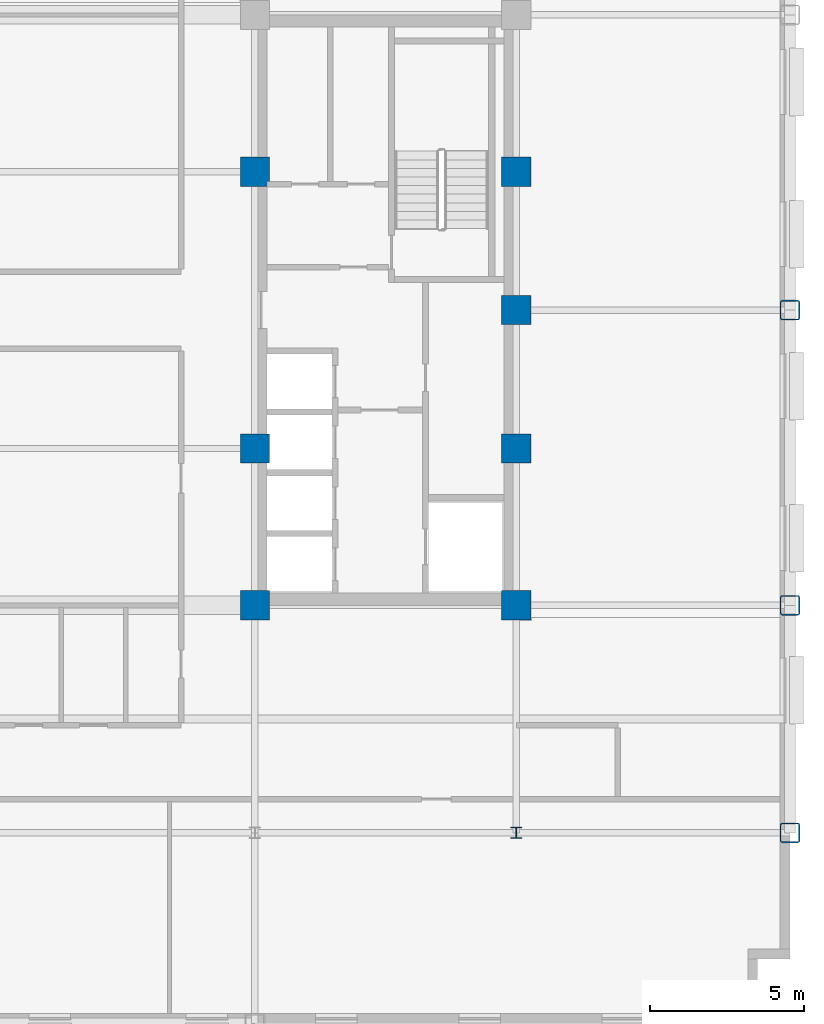
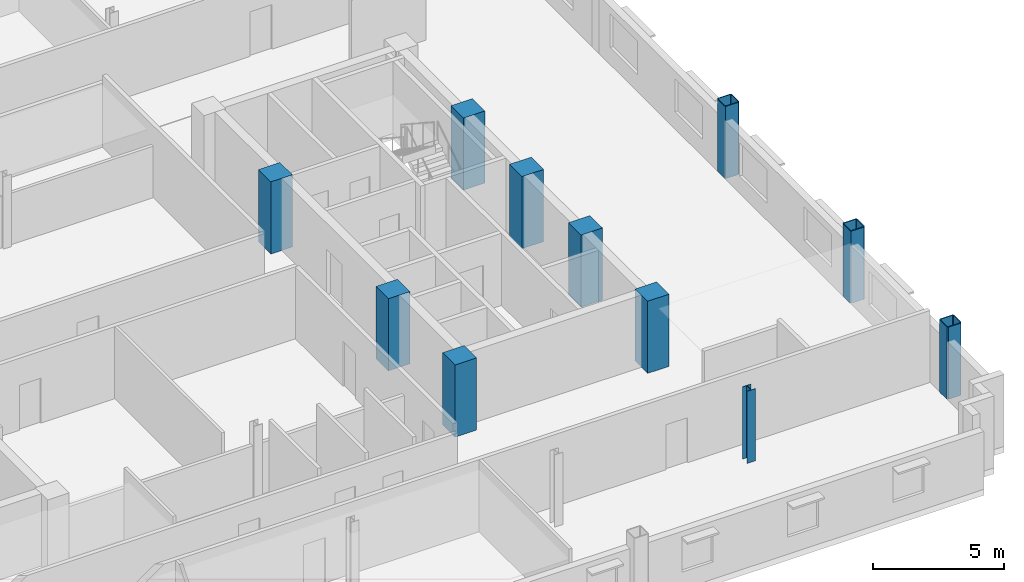
# One storey, part 2 of 13: 11 columns.
"""IFC4 building model written with IfcOpenShell, lengths in metres."""

from ifc_helpers import new_model, si_unit, direction, frame, origin, origin_2d, place, context, subcontext, project, spatial, rectangle, hollow_rectangle, i_section, extrude, material, material_profile, profile_set, type_object, element, save


model = new_model("IFC4")

# Units and contexts
model_context = context("Model", 3, precision=1e-05, world=origin(), true_north=direction((0.0, 1.0)))
body_context = subcontext(model_context, "Body", "Model", "MODEL_VIEW")
ifc_project = project(units=[si_unit("LENGTHUNIT", "METRE"), si_unit("AREAUNIT", "SQUARE_METRE"), si_unit("VOLUMEUNIT", "CUBIC_METRE"), si_unit("PLANEANGLEUNIT", "RADIAN"), si_unit("MASSUNIT", "GRAM", prefix="KILO")], contexts=[model_context])

# Site, building, storey
site_placement = place(None, origin())
site = spatial("IfcSite", under=ifc_project, at=site_placement, CompositionType="ELEMENT")
building_placement = place(site_placement, origin())
building = spatial("IfcBuilding", under=site, at=building_placement, Name="Nuvemarco Arch Tower", CompositionType="ELEMENT")
storey_placement = place(building_placement, frame((0.0, 0.0, 153.050048828125)))
storey = spatial("IfcBuildingStorey", under=building, at=storey_placement, Name="L40", CompositionType="ELEMENT", Elevation=153.050048828125)

# Columns
ifc_material_1 = material(Name="Concrete C50/60", Category="concrete")
ifc_material_profile_1 = material_profile(ifc_material_1, rectangle(XDim=0.949951171875, YDim=0.949951171875, at=origin_2d()), Name="RC-COL-950x950")
ifc_profile_set_1 = profile_set([ifc_material_profile_1], Name="Concrete C50/60")
column_type_1 = type_object("IfcColumnType", Name="COL-CORE-950", PredefinedType="COLUMN", material=ifc_profile_set_1)
for number, where, z_axis, x_axis, name in (
    (1, (9.0, -9.60009765625, 0.0), (0.0, 0.0, 1.0), (1.0, 0.0, 0.0), "L40 column CC_+9.0_-9.6"),
    (2, (9.0, -4.5, 0.0), (0.0, 0.0, 1.0), (1.0, 0.0, 0.0), "L40 column CC_+9.0_-4.5"),
    (3, (9.0, 4.5, 0.0), (0.0, 0.0, 1.0), (1.0, 0.0, 0.0), "L40 column CC_+9.0_+4.5"),
    (4, (17.5, -9.60009765625, 0.0), (0.0, 0.0, 1.0), (1.0, 0.0, 0.0), "L40 column CC_+17.5_-9.6"),
    (5, (17.5, -4.5, 0.0), (0.0, 0.0, 1.0), (1.0, 0.0, 0.0), "L40 column CC_+17.5_-4.5"),
    (6, (17.5, 4.5, 0.0), (0.0, 0.0, 1.0), (1.0, 0.0, 0.0), "L40 column CC_+17.5_+4.5"),
    (7, (17.5, 0.0, 0.0), (0.0, 0.0, 1.0), (1.0, 0.0, 0.0), "L40 column CC_+17.5_+0.0"),
):
    element("IfcColumn", number, at=place(storey_placement, frame(where, z_axis=z_axis, x_axis=x_axis)), inside=storey, type_object=column_type_1, Name=name, PredefinedType="COLUMN", context=body_context, shape_type="SweptSolid", body=[
        extrude(rectangle(XDim=0.949951171875, YDim=0.949951171875, at=origin_2d()), origin(), (0.0, 0.0, 1.0), 3.369873046875),
    ])
ifc_material_2 = material(Name="Steel S355", Category="steel")
ifc_material_profile_2 = material_profile(ifc_material_2, hollow_rectangle(XDim=0.64990234375, YDim=0.64990234375, WallThickness=0.0400390625, InnerFilletRadius=0.0400390625, OuterFilletRadius=0.080078125, at=origin_2d()), Name="SHS650x650x40")
ifc_profile_set_2 = profile_set([ifc_material_profile_2], Name="Steel S355")
column_type_2 = type_object("IfcColumnType", Name="COL-EXO-650", PredefinedType="COLUMN", material=ifc_profile_set_2)
for number, where, z_axis, x_axis, name in (
    (8, (26.39990234375, -17.0, 0.0), (0.0, 0.0, 1.0), (1.0, 0.0, 0.0), "L40 column CX_+26.4_-17.0"),
    (9, (26.39990234375, -9.60009765625, 0.0), (0.0, 0.0, 1.0), (1.0, 0.0, 0.0), "L40 column CX_+26.4_-9.6"),
    (10, (26.39990234375, 0.0, 0.0), (0.0, 0.0, 1.0), (1.0, 0.0, 0.0), "L40 column CX_+26.4_+0.0"),
):
    element("IfcColumn", number, at=place(storey_placement, frame(where, z_axis=z_axis, x_axis=x_axis)), inside=storey, type_object=column_type_2, Name=name, PredefinedType="COLUMN", context=body_context, shape_type="SweptSolid", body=[
        extrude(hollow_rectangle(XDim=0.64990234375, YDim=0.64990234375, WallThickness=0.0400390625, InnerFilletRadius=0.0400390625, OuterFilletRadius=0.080078125, at=origin_2d()), origin(), (0.0, 0.0, 1.0), 3.369873046875),
    ])
ifc_material_profile_3 = material_profile(ifc_material_2, i_section(OverallWidth=0.360107421875, OverallDepth=0.360107421875, WebThickness=0.0205078125, FlangeThickness=0.0205078125, FilletRadius=0.01806640625, at=origin_2d()), Name="HP360x174")
ifc_profile_set_3 = profile_set([ifc_material_profile_3], Name="Steel S355")
column_type_3 = type_object("IfcColumnType", Name="COL-STL-HP360", PredefinedType="COLUMN", material=ifc_profile_set_3)
column_placement = place(storey_placement, frame((17.5, -17.0, 0.0), z_axis=(0.0, 0.0, 1.0), x_axis=(1.0, 0.0, 0.0)))
element("IfcColumn", 11, at=column_placement, inside=storey, type_object=column_type_3, Name="L40 column CI_+17.5_-17.0", PredefinedType="COLUMN", context=body_context, shape_type="SweptSolid", body=[
    extrude(i_section(OverallWidth=0.360107421875, OverallDepth=0.360107421875, WebThickness=0.0205078125, FlangeThickness=0.0205078125, FilletRadius=0.01806640625, at=origin_2d()), origin(), (0.0, 0.0, 1.0), 3.369873046875),
])

save(model, "model.ifc")
